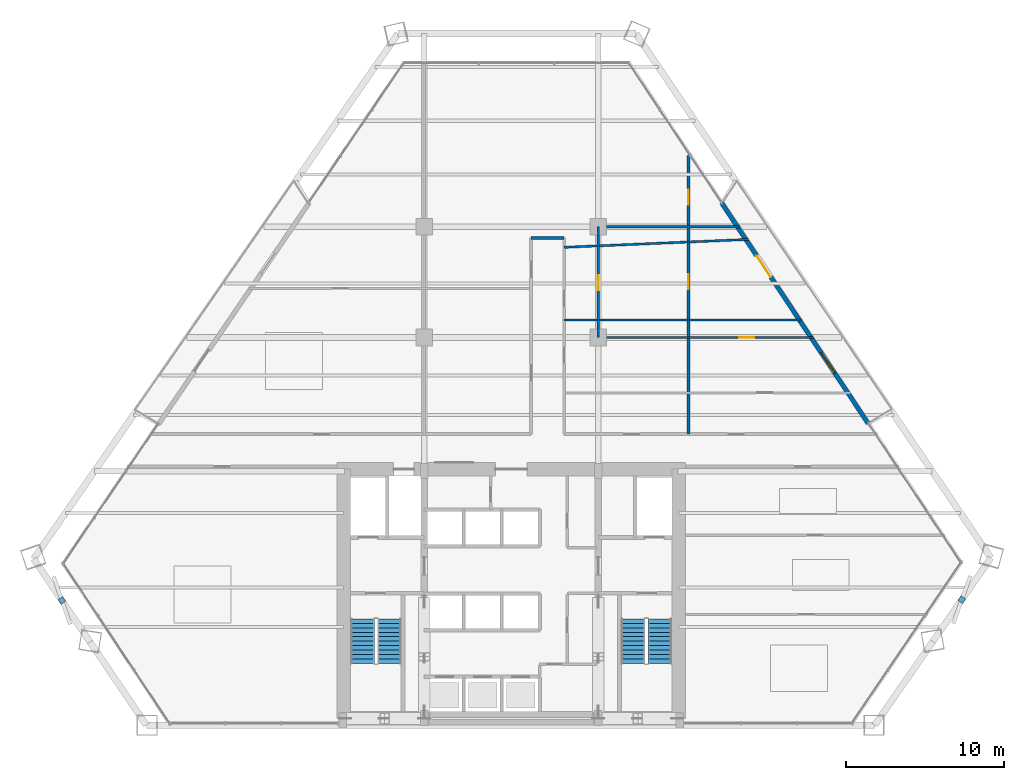
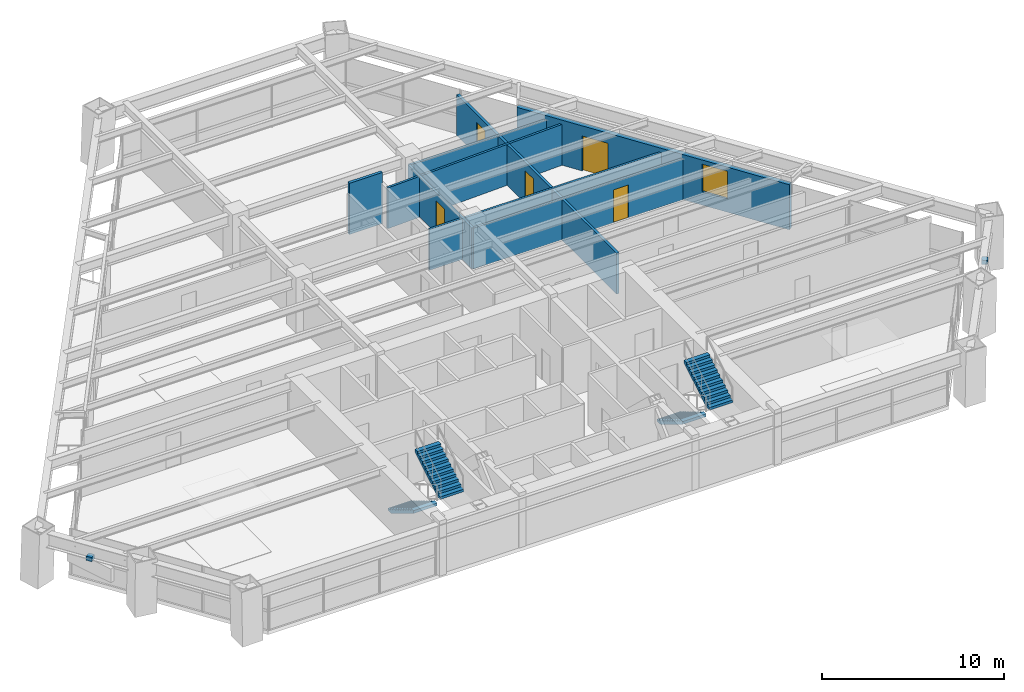
# One storey, part 12 of 15: 8 walls, 5 doors, 4 stair flights, 2 discrete accessories, 1 window, 6 openings, 2 elements without a shape of their own.
"""IFC4 building model written with IfcOpenShell, lengths in metres."""

from ifc_helpers import new_model, si_unit, direction, frame, frame_2d, origin, origin_2d, place, context, subcontext, project, spatial, polyline, rectangle, outline, extrude, source, transform, mapped, material, layer, layer_set, type_object, type_shapes, element, fill, aggregate, save


model = new_model("IFC4")

# Units and contexts
model_context = context("Model", 3, precision=1e-05, world=origin(), true_north=direction((0.0, 1.0)))
body_context = subcontext(model_context, "Body", "Model", "MODEL_VIEW")
ifc_project = project(units=[si_unit("LENGTHUNIT", "METRE"), si_unit("AREAUNIT", "SQUARE_METRE"), si_unit("VOLUMEUNIT", "CUBIC_METRE"), si_unit("PLANEANGLEUNIT", "RADIAN"), si_unit("MASSUNIT", "GRAM", prefix="KILO")], contexts=[model_context])

# Site, building, storey
site_placement = place(None, origin())
site = spatial("IfcSite", under=ifc_project, at=site_placement, CompositionType="ELEMENT")
building_placement = place(site_placement, origin())
building = spatial("IfcBuilding", under=site, at=building_placement, Name="Varnakhor Terracotta Tower", CompositionType="ELEMENT")
storey_placement = place(building_placement, frame((0.0, 0.0, 57.10009765625)))
storey = spatial("IfcBuildingStorey", under=building, at=storey_placement, Name="L13", CompositionType="ELEMENT", Elevation=57.10009765625)

# Wall
ifc_material_1 = material(Name="Fire-Rated Gypsum Stud Partition", Category="gypsum")
ifc_layer_1 = layer(ifc_material_1, 0.18505859375, Name="Fire-Rated Gypsum Stud Partition")
ifc_layer_set_1 = layer_set([ifc_layer_1], Name="Fire-Rated Gypsum Stud Partition")
wall_type_1 = type_object("IfcWallType", Name="WAL-CORR-185", PredefinedType="PARTITIONING", material=ifc_layer_set_1)
wall_1_placement = place(storey_placement, frame((1.25, 30.800048828125, 0.0), z_axis=(0.0, 0.0, 1.0), x_axis=(1.0, 0.0, 0.0)))
element("IfcWall", 1, at=wall_1_placement, inside=storey, type_object=wall_type_1, Name="L13 Spine North End Wall", PredefinedType="PARTITIONING", context=body_context, shape_type="SweptSolid", body=[
    extrude(rectangle(XDim=2.10009765625, YDim=0.18505859375, at=frame_2d((1.050048828125, 0.0))), origin(), (0.0, 0.0, 1.0), 3.44189453125),
])

# Wall, openings, door, window
ifc_material_2 = material(Name="Extruded Architectural Terracotta Assembly", Category="masonry")
ifc_layer_2 = layer(ifc_material_2, 0.280029296875, Name="Extruded Architectural Terracotta Assembly")
ifc_layer_set_2 = layer_set([ifc_layer_2], Name="Extruded Architectural Terracotta Assembly")
wall_type_2 = type_object("IfcWallType", Name="WAL-EXT-TERRACOTTA-280", PredefinedType="SOLIDWALL", material=ifc_layer_set_2)
wall_2_placement = place(storey_placement, frame((13.285888671875, 33.015380859375, 0.0), z_axis=(0.0, 0.0, 1.0), x_axis=(0.553666793668, -0.832738303183, 0.0)))
wall_2 = element("IfcWall", 2, at=wall_2_placement, inside=storey, type_object=wall_type_2, Name="L13 E Loggia Insulated Terracotta Wall", PredefinedType="SOLIDWALL", context=body_context, shape_type="SweptSolid", body=[
    extrude(rectangle(XDim=16.744384765625, YDim=0.280029296875, at=frame_2d((8.3720703125, 0.0))), origin(), (0.0, 0.0, 1.0), 3.02978515625),
])
opening_1_placement = place(wall_2_placement, frame((4.0185546875, 0.0, 0.0)))
opening_1 = element("IfcOpeningElement", 3, at=opening_1_placement, cuts=wall_2, Name="Opening DR-62", PredefinedType="OPENING", context=body_context, shape_type="SweptSolid", body=[
    extrude(rectangle(XDim=1.60009765625, YDim=2.35009765625, at=frame_2d((0.800048828125, 1.175048828125))), frame((0.0, 0.14990234375, 0.0), z_axis=(0.0, -1.0, 0.0), x_axis=(1.0, 0.0, 0.0)), (0.0, 0.0, 1.0), 0.300048828125),
])
opening_2_placement = place(wall_2_placement, frame((11.385986328125, 0.0, 0.89990234375)))
opening_2 = element("IfcOpeningElement", 4, at=opening_2_placement, cuts=wall_2, Name="Opening WN-57", PredefinedType="OPENING", context=body_context, shape_type="SweptSolid", body=[
    extrude(rectangle(XDim=1.550048828125, YDim=1.85009765625, at=frame_2d((0.77490234375, 0.925048828125))), frame((0.0, 0.14990234375, 0.0), z_axis=(0.0, -1.0, 0.0), x_axis=(1.0, 0.0, 0.0)), (0.0, 0.0, 1.0), 0.300048828125),
])
ifc_material_3 = material(Name="Thermally Broken Sliding Glass Loggia Door", Category="glass")
door_type_1 = type_object("IfcDoorType", Name="DR-EXT-LOGGIA-1600X2350", OperationType="NOTDEFINED", PredefinedType="DOOR", material=ifc_material_3)
shared_shape_1 = source(origin(), body_context, "Body", "SweptSolid", [
    extrude(rectangle(XDim=1.60009765625, YDim=2.35009765625, at=frame_2d((0.800048828125, 1.175048828125))), frame((0.0, 0.02490234375, 0.0), z_axis=(0.0, -1.0, 0.0), x_axis=(1.0, 0.0, 0.0)), (0.0, 0.0, 1.0), 0.050048828125),
])
type_shapes(door_type_1, [shared_shape_1])
door_1_placement = place(opening_1_placement, origin())
door_1 = element("IfcDoor", 5, at=door_1_placement, inside=storey, type_object=door_type_1, Name="L13 E Recessed Loggia Sliding Door", OperationType="SLIDING_TO_RIGHT", OverallHeight=2.35009765625, OverallWidth=1.60009765625, PredefinedType="DOOR", context=body_context, shape_type="MappedRepresentation", body=[
    mapped(shared_shape_1, transform((0.0, 0.0, 0.0), scale=1.0)),
])
fill(opening_1, door_1)
ifc_material_4 = material(Name="Solar-Control Low-E Insulated Glass Unit", Category="glass")
window_type = type_object("IfcWindowType", Name="WIN-OFF-1650X2100", PartitioningType="SINGLE_PANEL", PredefinedType="WINDOW", material=ifc_material_4)
shared_shape_2 = source(origin(), body_context, "Body", "SweptSolid", [
    extrude(rectangle(XDim=1.550048828125, YDim=1.85009765625, at=frame_2d((0.77490234375, 0.925048828125))), frame((0.0, 0.030029296875, 0.0), z_axis=(0.0, -1.0, 0.0), x_axis=(1.0, 0.0, 0.0)), (0.0, 0.0, 1.0), 0.06005859375),
])
type_shapes(window_type, [shared_shape_2])
window_placement = place(opening_2_placement, origin())
window = element("IfcWindow", 6, at=window_placement, inside=storey, type_object=window_type, Name="L13 E Facet Punched Window", OverallHeight=1.85009765625, OverallWidth=1.550048828125, PartitioningType="SINGLE_PANEL", PredefinedType="WINDOW", context=body_context, shape_type="MappedRepresentation", body=[
    mapped(shared_shape_2, transform((0.0, 0.0, 0.0), scale=1.0)),
])
fill(opening_2, window)

# Wall, opening, door
ifc_material_5 = material(Name="Acoustic Metal-Stud Partition", Category="gypsum")
ifc_layer_3 = layer(ifc_material_5, 0.139892578125, Name="Acoustic Metal-Stud Partition")
ifc_layer_set_3 = layer_set([ifc_layer_3], Name="Acoustic Metal-Stud Partition")
wall_type_3 = type_object("IfcWallType", Name="WAL-PART-140", PredefinedType="PARTITIONING", material=ifc_layer_set_3)
wall_3_placement = place(storey_placement, frame((5.5, 24.5, 0.0), z_axis=(0.0, 0.0, 1.0), x_axis=(1.0, 0.0, 0.0)))
wall_3 = element("IfcWall", 7, at=wall_3_placement, inside=storey, type_object=wall_type_3, Name="L13 East Y24.5 Column Wall", PredefinedType="PARTITIONING", context=body_context, shape_type="SweptSolid", body=[
    extrude(rectangle(XDim=13.603515625, YDim=0.139892578125, at=frame_2d((6.8017578125, 0.0))), origin(), (0.0, 0.0, 1.0), 2.746826171875),
])
opening_3_placement = place(wall_3_placement, frame((8.8984375, 0.0, 0.0)))
opening_3 = element("IfcOpeningElement", 8, at=opening_3_placement, cuts=wall_3, Name="Opening DR-94", PredefinedType="OPENING", context=body_context, shape_type="SweptSolid", body=[
    extrude(rectangle(XDim=0.949951171875, YDim=2.199951171875, at=frame_2d((0.47509765625, 1.10009765625))), frame((0.0, 0.080078125, 0.0), z_axis=(0.0, -1.0, 0.0), x_axis=(1.0, 0.0, 0.0)), (0.0, 0.0, 1.0), 0.159912109375),
])
ifc_material_6 = material(Name="Acoustic Glazed-Vision Timber Office Door", Category="wood")
door_type_2 = type_object("IfcDoorType", Name="DR-OFF-950X2200", OperationType="NOTDEFINED", PredefinedType="DOOR", material=ifc_material_6)
shared_shape_3 = source(origin(), body_context, "Body", "SweptSolid", [
    extrude(rectangle(XDim=0.949951171875, YDim=2.199951171875, at=frame_2d((0.47509765625, 1.10009765625))), frame((0.0, 0.02490234375, 0.0), z_axis=(0.0, -1.0, 0.0), x_axis=(1.0, 0.0, 0.0)), (0.0, 0.0, 1.0), 0.050048828125),
])
type_shapes(door_type_2, [shared_shape_3])
door_2_placement = place(opening_3_placement, origin())
door_2 = element("IfcDoor", 9, at=door_2_placement, inside=storey, type_object=door_type_2, Name="L13 BIM Lab Suite Door", OperationType="SINGLE_SWING_RIGHT", OverallHeight=2.199951171875, OverallWidth=0.949951171875, PredefinedType="DOOR", context=body_context, shape_type="MappedRepresentation", body=[
    mapped(shared_shape_3, transform((0.0, 0.0, 0.0), scale=1.0)),
])
fill(opening_3, door_2)

wall_4_placement = place(storey_placement, frame((5.5, 24.5, 0.0), z_axis=(0.0, 0.0, 1.0), x_axis=(0.0, 1.0, 0.0)))
wall_4 = element("IfcWall", 10, at=wall_4_placement, inside=storey, type_object=wall_type_3, Name="L13 East Mid Link Wall", PredefinedType="PARTITIONING", context=body_context, shape_type="SweptSolid", body=[
    extrude(rectangle(XDim=7.0, YDim=0.139892578125, at=frame_2d((3.5, 0.0))), origin(), (0.0, 0.0, 1.0), 2.746826171875),
])
opening_4_placement = place(wall_4_placement, frame((2.974609375, 0.0, 0.0)))
opening_4 = element("IfcOpeningElement", 11, at=opening_4_placement, cuts=wall_4, Name="Opening DR-94", PredefinedType="OPENING", context=body_context, shape_type="SweptSolid", body=[
    extrude(rectangle(XDim=0.949951171875, YDim=2.199951171875, at=frame_2d((0.47509765625, 1.10009765625))), frame((0.0, 0.080078125, 0.0), z_axis=(0.0, -1.0, 0.0), x_axis=(1.0, 0.0, 0.0)), (0.0, 0.0, 1.0), 0.159912109375),
])
door_3_placement = place(opening_4_placement, origin())
door_3 = element("IfcDoor", 12, at=door_3_placement, inside=storey, type_object=door_type_2, Name="L13 Archive Office B15 Door", OperationType="SINGLE_SWING_RIGHT", OverallHeight=2.199951171875, OverallWidth=0.949951171875, PredefinedType="DOOR", context=body_context, shape_type="MappedRepresentation", body=[
    mapped(shared_shape_3, transform((0.0, 0.0, 0.0), scale=1.0)),
])
fill(opening_4, door_3)

# Walls
wall_5_placement = place(storey_placement, frame((5.5, 31.5, 0.0), z_axis=(0.0, 0.0, 1.0), x_axis=(1.0, 0.0, 0.0)))
element("IfcWall", 13, at=wall_5_placement, inside=storey, type_object=wall_type_3, Name="L13 East Y31.5 Column Wall", PredefinedType="PARTITIONING", context=body_context, shape_type="SweptSolid", body=[
    extrude(rectangle(XDim=8.949462890625, YDim=0.139892578125, at=frame_2d((4.474609375, 0.0))), origin(), (0.0, 0.0, 1.0), 2.746826171875),
])
wall_6_placement = place(storey_placement, frame((3.35009765625, 25.60009765625, 0.0), z_axis=(0.0, 0.0, 1.0), x_axis=(1.0, 0.0, 0.0)))
element("IfcWall", 14, at=wall_6_placement, inside=storey, type_object=wall_type_3, Name="L13 East Wing Cut 2", PredefinedType="PARTITIONING", context=body_context, shape_type="SweptSolid", body=[
    extrude(rectangle(XDim=15.022216796875, YDim=0.139892578125, at=frame_2d((7.51123046875, 0.0))), origin(), (0.0, 0.0, 1.0), 2.746826171875),
])
wall_7_placement = place(storey_placement, frame((3.35009765625, 30.199951171875, 0.0), z_axis=(0.0, 0.0, 1.0), x_axis=(0.999082870188, 0.042818436404, 0.0)))
element("IfcWall", 15, at=wall_7_placement, inside=storey, type_object=wall_type_3, Name="L13 East Wing Cut 3", PredefinedType="PARTITIONING", context=body_context, shape_type="SweptSolid", body=[
    extrude(rectangle(XDim=11.64306640625, YDim=0.139892578125, at=frame_2d((5.821533203125, 0.0))), origin(), (0.0, 0.0, 1.0), 2.746826171875),
])

# Wall, openings, doors
ifc_material_7 = material(Name="Acoustic Fire-Rated Partition", Category="gypsum")
ifc_layer_4 = layer(ifc_material_7, 0.1650390625, Name="Acoustic Fire-Rated Partition")
ifc_layer_set_4 = layer_set([ifc_layer_4], Name="Acoustic Fire-Rated Partition")
wall_type_4 = type_object("IfcWallType", Name="WAL-TENANCY-165", PredefinedType="PARTITIONING", material=ifc_layer_set_4)
wall_8_placement = place(storey_placement, frame((11.199951171875, 18.39990234375, 0.0), z_axis=(0.0, 0.0, 1.0), x_axis=(0.0, 1.0, 0.0)))
wall_8 = element("IfcWall", 16, at=wall_8_placement, inside=storey, type_object=wall_type_4, Name="L13 East Cellular Line", PredefinedType="PARTITIONING", context=body_context, shape_type="SweptSolid", body=[
    extrude(rectangle(XDim=17.60009765625, YDim=0.1650390625, at=frame_2d((8.800048828125, 0.0))), origin(), (0.0, 0.0, 1.0), 2.746826171875),
])
opening_5_placement = place(wall_8_placement, frame((9.15771484375, 0.0, 0.0)))
opening_5 = element("IfcOpeningElement", 17, at=opening_5_placement, cuts=wall_8, Name="Opening DR-94", PredefinedType="OPENING", context=body_context, shape_type="SweptSolid", body=[
    extrude(rectangle(XDim=0.949951171875, YDim=2.199951171875, at=frame_2d((0.47509765625, 1.10009765625))), frame((0.0, 0.092529296875, 0.0), z_axis=(0.0, -1.0, 0.0), x_axis=(1.0, 0.0, 0.0)), (0.0, 0.0, 1.0), 0.18505859375),
])
opening_6_placement = place(wall_8_placement, frame((14.478515625, 0.0, 0.0)))
opening_6 = element("IfcOpeningElement", 18, at=opening_6_placement, cuts=wall_8, Name="Opening DR-94", PredefinedType="OPENING", context=body_context, shape_type="SweptSolid", body=[
    extrude(rectangle(XDim=0.949951171875, YDim=2.199951171875, at=frame_2d((0.47509765625, 1.10009765625))), frame((0.0, 0.092529296875, 0.0), z_axis=(0.0, -1.0, 0.0), x_axis=(1.0, 0.0, 0.0)), (0.0, 0.0, 1.0), 0.18505859375),
])
door_4_placement = place(opening_5_placement, origin())
door_4 = element("IfcDoor", 19, at=door_4_placement, inside=storey, type_object=door_type_2, Name="L13 Espresso Pantry B13 Door", OperationType="SINGLE_SWING_LEFT", OverallHeight=2.199951171875, OverallWidth=0.949951171875, PredefinedType="DOOR", context=body_context, shape_type="MappedRepresentation", body=[
    mapped(shared_shape_3, transform((0.0, 0.0, 0.0), scale=1.0)),
])
fill(opening_5, door_4)
door_5_placement = place(opening_6_placement, origin())
door_5 = element("IfcDoor", 20, at=door_5_placement, inside=storey, type_object=door_type_2, Name="L13 Wellness Quiet Room Door", OperationType="SINGLE_SWING_RIGHT", OverallHeight=2.199951171875, OverallWidth=0.949951171875, PredefinedType="DOOR", context=body_context, shape_type="MappedRepresentation", body=[
    mapped(shared_shape_3, transform((0.0, 0.0, 0.0), scale=1.0)),
])
fill(opening_6, door_5)

# Stair, stair flights
ifc_material_8 = material(Name="Concrete C40/50", Category="concrete")
stair_type = type_object("IfcStairType", Name="STR-CORE-OFFICE-1500", PredefinedType="HALF_TURN_STAIR", material=ifc_material_8)
stair_1_placement = place(storey_placement, origin())
stair_1 = element("IfcStair", 21, at=stair_1_placement, inside=storey, type_object=stair_type, Name="L13 Core Exit Stair ST-1", PredefinedType="HALF_TURN_STAIR")
stair_flight_type = type_object("IfcStairFlightType", Name="FLT-CORE-1500", PredefinedType="STRAIGHT", material=ifc_material_8)
stair_flight_1_placement = place(storey_placement, frame((-9.39990234375, 6.7099609375, 0.0), z_axis=(0.0, 0.0, 1.0), x_axis=(0.0, -1.0, 0.0)))
stair_flight_1 = element("IfcStairFlight", 22, at=stair_flight_1_placement, type_object=stair_flight_type, Name="ST-1 flight 1", NumberOfRisers=11, NumberOfTreads=10, PredefinedType="STRAIGHT", RiserHeight=0.168181818, TreadLength=0.28, context=body_context, shape_type="SweptSolid", body=[
    extrude(outline(polyline([(0.0, 0.0), (0.0, 0.168212890625), (0.280029296875, 0.168212890625), (0.280029296875, 0.33642578125), (0.56005859375, 0.33642578125), (0.56005859375, 0.504638671875), (0.840087890625, 0.504638671875), (0.840087890625, 0.672607421875), (1.1201171875, 0.672607421875), (1.1201171875, 0.8408203125), (1.39990234375, 0.8408203125), (1.39990234375, 1.009033203125), (1.679931640625, 1.009033203125), (1.679931640625, 1.17724609375), (1.9599609375, 1.17724609375), (1.9599609375, 1.345458984375), (2.239990234375, 1.345458984375), (2.239990234375, 1.513671875), (2.52001953125, 1.513671875), (2.52001953125, 1.681884765625), (2.800048828125, 1.681884765625), (2.800048828125, 1.85009765625), (2.800048828125, 1.495361328125), (0.310546875, 0.0), (0.0, 0.0)])), frame((0.0, 0.75, 0.0), z_axis=(0.0, -1.0, 0.0), x_axis=(1.0, 0.0, 0.0)), (0.0, 0.0, 1.0), 1.5),
])
stair_flight_2_placement = place(storey_placement, frame((-7.699951171875, 3.909912109375, 1.849853515625), z_axis=(0.0, 0.0, 1.0), x_axis=(0.0, 1.0, 0.0)))
stair_flight_2 = element("IfcStairFlight", 23, at=stair_flight_2_placement, type_object=stair_flight_type, Name="ST-1 flight 2", NumberOfRisers=11, NumberOfTreads=10, PredefinedType="STRAIGHT", RiserHeight=0.168181818, TreadLength=0.28, context=body_context, shape_type="SweptSolid", body=[
    extrude(outline(polyline([(0.0, 0.0), (0.0, 0.168212890625), (0.280029296875, 0.168212890625), (0.280029296875, 0.33642578125), (0.56005859375, 0.33642578125), (0.56005859375, 0.504638671875), (0.840087890625, 0.504638671875), (0.840087890625, 0.672607421875), (1.1201171875, 0.672607421875), (1.1201171875, 0.8408203125), (1.39990234375, 0.8408203125), (1.39990234375, 1.009033203125), (1.679931640625, 1.009033203125), (1.679931640625, 1.17724609375), (1.9599609375, 1.17724609375), (1.9599609375, 1.345458984375), (2.239990234375, 1.345458984375), (2.239990234375, 1.513671875), (2.52001953125, 1.513671875), (2.52001953125, 1.681884765625), (2.800048828125, 1.681884765625), (2.800048828125, 1.85009765625), (2.800048828125, 1.495361328125), (0.310546875, 0.0), (0.0, 0.0)])), frame((0.0, 0.75, 0.0), z_axis=(0.0, -1.0, 0.0), x_axis=(1.0, 0.0, 0.0)), (0.0, 0.0, 1.0), 1.5),
])
aggregate(stair_1, [stair_flight_1, stair_flight_2])

stair_2_placement = place(storey_placement, origin())
stair_2 = element("IfcStair", 24, at=stair_2_placement, inside=storey, type_object=stair_type, Name="L13 Core Exit Stair ST-2", PredefinedType="HALF_TURN_STAIR")
stair_flight_3_placement = place(storey_placement, frame((7.699951171875, 6.7099609375, 0.0), z_axis=(0.0, 0.0, 1.0), x_axis=(0.0, -1.0, 0.0)))
stair_flight_3 = element("IfcStairFlight", 25, at=stair_flight_3_placement, type_object=stair_flight_type, Name="ST-2 flight 1", NumberOfRisers=11, NumberOfTreads=10, PredefinedType="STRAIGHT", RiserHeight=0.168181818, TreadLength=0.28, context=body_context, shape_type="SweptSolid", body=[
    extrude(outline(polyline([(0.0, 0.0), (0.0, 0.168212890625), (0.280029296875, 0.168212890625), (0.280029296875, 0.33642578125), (0.56005859375, 0.33642578125), (0.56005859375, 0.504638671875), (0.840087890625, 0.504638671875), (0.840087890625, 0.672607421875), (1.1201171875, 0.672607421875), (1.1201171875, 0.8408203125), (1.39990234375, 0.8408203125), (1.39990234375, 1.009033203125), (1.679931640625, 1.009033203125), (1.679931640625, 1.17724609375), (1.9599609375, 1.17724609375), (1.9599609375, 1.345458984375), (2.239990234375, 1.345458984375), (2.239990234375, 1.513671875), (2.52001953125, 1.513671875), (2.52001953125, 1.681884765625), (2.800048828125, 1.681884765625), (2.800048828125, 1.85009765625), (2.800048828125, 1.495361328125), (0.310546875, 0.0), (0.0, 0.0)])), frame((0.0, 0.75, 0.0), z_axis=(0.0, -1.0, 0.0), x_axis=(1.0, 0.0, 0.0)), (0.0, 0.0, 1.0), 1.5),
])
stair_flight_4_placement = place(storey_placement, frame((9.39990234375, 3.909912109375, 1.849853515625), z_axis=(0.0, 0.0, 1.0), x_axis=(0.0, 1.0, 0.0)))
stair_flight_4 = element("IfcStairFlight", 26, at=stair_flight_4_placement, type_object=stair_flight_type, Name="ST-2 flight 2", NumberOfRisers=11, NumberOfTreads=10, PredefinedType="STRAIGHT", RiserHeight=0.168181818, TreadLength=0.28, context=body_context, shape_type="SweptSolid", body=[
    extrude(outline(polyline([(0.0, 0.0), (0.0, 0.168212890625), (0.280029296875, 0.168212890625), (0.280029296875, 0.33642578125), (0.56005859375, 0.33642578125), (0.56005859375, 0.504638671875), (0.840087890625, 0.504638671875), (0.840087890625, 0.672607421875), (1.1201171875, 0.672607421875), (1.1201171875, 0.8408203125), (1.39990234375, 0.8408203125), (1.39990234375, 1.009033203125), (1.679931640625, 1.009033203125), (1.679931640625, 1.17724609375), (1.9599609375, 1.17724609375), (1.9599609375, 1.345458984375), (2.239990234375, 1.345458984375), (2.239990234375, 1.513671875), (2.52001953125, 1.513671875), (2.52001953125, 1.681884765625), (2.800048828125, 1.681884765625), (2.800048828125, 1.85009765625), (2.800048828125, 1.495361328125), (0.310546875, 0.0), (0.0, 0.0)])), frame((0.0, 0.75, 0.0), z_axis=(0.0, -1.0, 0.0), x_axis=(1.0, 0.0, 0.0)), (0.0, 0.0, 1.0), 1.5),
])
aggregate(stair_2, [stair_flight_3, stair_flight_4])

# Discrete accessories
ifc_material_9 = material(Name="Stainless Steel Fixing Bracket", Category="steel")
discrete_accessory_type = type_object("IfcDiscreteAccessoryType", Name="BRACKET-TERRACOTTA-SCREEN", PredefinedType="BRACKET", material=ifc_material_9)
shared_shape_4 = source(origin(), body_context, "Body", "SweptSolid", [
    extrude(rectangle(XDim=0.35009765625, YDim=0.35009765625, at=origin_2d()), origin(), (0.0, 0.0, 1.0), 0.280029296875),
])
type_shapes(discrete_accessory_type, [shared_shape_4])
for number, where, z_axis, x_axis, name in (
    (27, (28.476318359375, 7.930419921875, 2.39306640625), (0.0, 0.0, 1.0), (0.569882033486, 0.821726516495, 0.0), "L13 E Screen Fixing Bracket"),
    (28, (-28.399658203125, 7.883544921875, 2.39306640625), (0.0, 0.0, 1.0), (0.560624542099, -0.828070119493, 0.0), "L13 W Screen Fixing Bracket"),
):
    element("IfcDiscreteAccessory", number, at=place(storey_placement, frame(where, z_axis=z_axis, x_axis=x_axis)), inside=storey, type_object=discrete_accessory_type, Name=name, PredefinedType="BRACKET", context=body_context, shape_type="MappedRepresentation", body=[
        mapped(shared_shape_4, transform((0.0, 0.0, 0.0), scale=1.0)),
    ])

save(model, "model.ifc")
